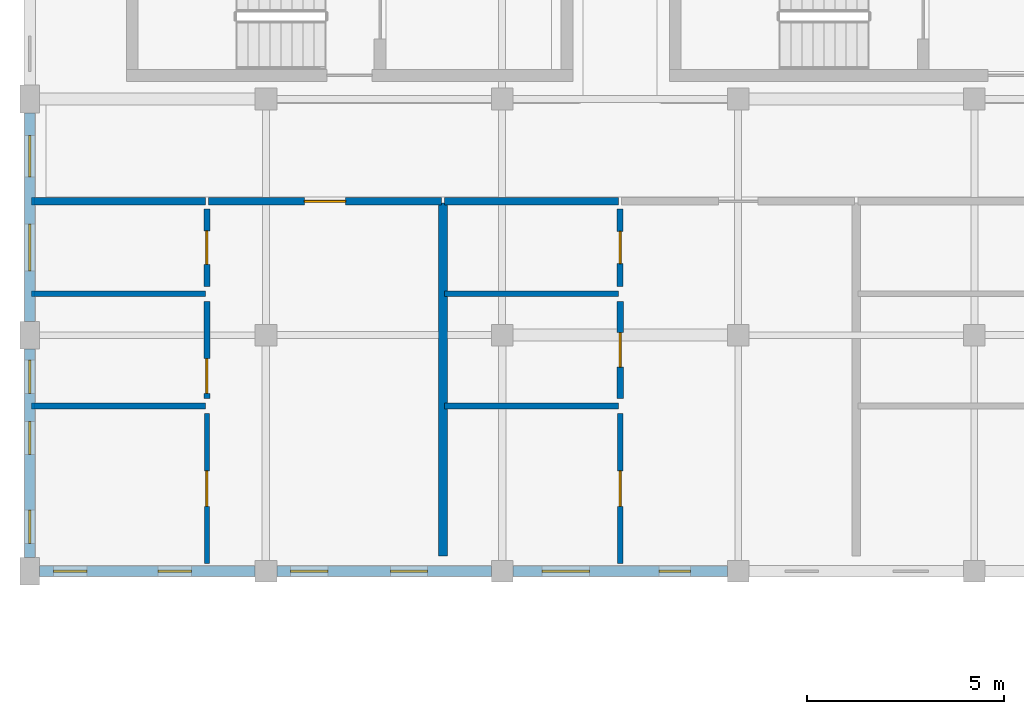
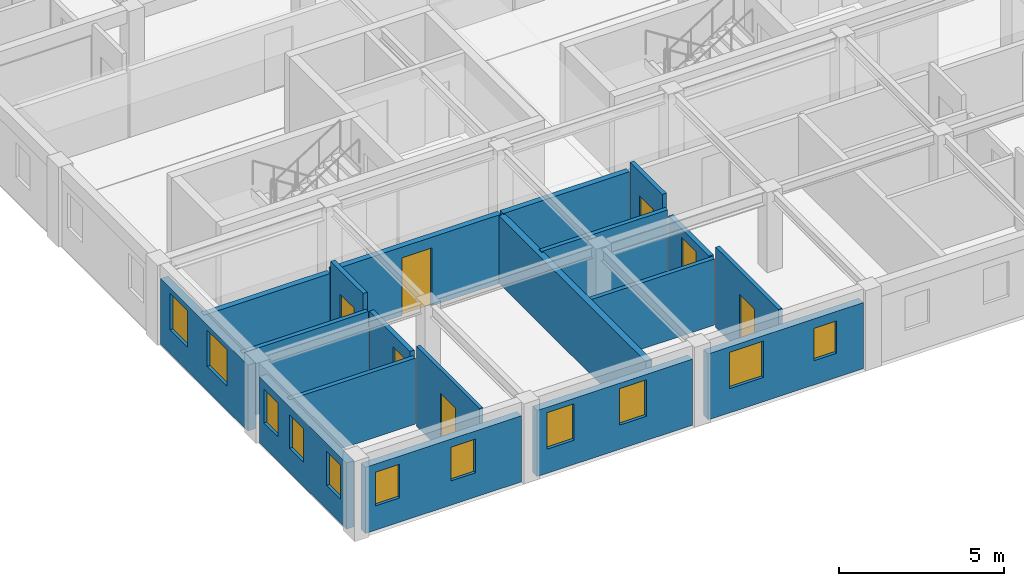
# One storey, part 25 of 58: 19 walls, 11 windows, 7 doors, 18 openings.
"""IFC4 building model written with IfcOpenShell, lengths in metres."""

from ifc_helpers import new_model, si_unit, direction, frame, frame_2d, origin, place, context, subcontext, project, spatial, rectangle, extrude, material, layer, layer_set, type_object, element, fill, save


model = new_model("IFC4")

# Units and contexts
model_context = context("Model", 3, precision=1e-05, world=origin(), true_north=direction((0.0, 1.0)))
body_context = subcontext(model_context, "Body", "Model", "MODEL_VIEW")
ifc_project = project(units=[si_unit("LENGTHUNIT", "METRE"), si_unit("AREAUNIT", "SQUARE_METRE"), si_unit("VOLUMEUNIT", "CUBIC_METRE"), si_unit("PLANEANGLEUNIT", "RADIAN"), si_unit("MASSUNIT", "GRAM", prefix="KILO"), si_unit("POWERUNIT", "WATT"), si_unit("THERMODYNAMICTEMPERATUREUNIT", "KELVIN")], contexts=[model_context])

# Site, building, storey
site_placement = place(None, origin())
site = spatial("IfcSite", under=ifc_project, at=site_placement, CompositionType="ELEMENT")
building_placement = place(site_placement, origin())
building = spatial("IfcBuilding", under=site, at=building_placement, Name="Ruvembo Vaulted Housing Court", CompositionType="ELEMENT")
storey_placement = place(building_placement, frame((0.0, 0.0, 20.5)))
storey = spatial("IfcBuildingStorey", under=building, at=storey_placement, Name="L06", CompositionType="ELEMENT", Elevation=20.5)

# Wall
ifc_material_1 = material(Name="Concrete Blockwork 200", Category="masonry")
ifc_layer_1 = layer(ifc_material_1, 0.199951171875, Name="Concrete Blockwork 200")
ifc_layer_set_1 = layer_set([ifc_layer_1], Name="Concrete Blockwork 200")
wall_type_1 = type_object("IfcWallType", Name="WL-CORR-200", PredefinedType="SOLIDWALL", material=ifc_layer_set_1)
wall_1_placement = place(storey_placement, frame((0.0400390625, 15.39990234375, 0.0), z_axis=(0.0, 0.0, 1.0), x_axis=(1.0, 0.0, 0.0)))
element("IfcWall", 1, at=wall_1_placement, inside=storey, type_object=wall_type_1, Name="L06 Flat A-L06-S1 Corridor Wall WL-INT-L06-01691", PredefinedType="SOLIDWALL", context=body_context, shape_type="SweptSolid", body=[
    extrude(rectangle(XDim=4.419921875, YDim=0.199951171875, at=frame_2d((2.2099609375, 0.0))), origin(), (0.0, 0.0, 1.0), 2.451904296875),
])

# Wall, opening, door
wall_2_placement = place(storey_placement, frame((4.5400390625, 15.39990234375, 0.0), z_axis=(0.0, 0.0, 1.0), x_axis=(1.0, 0.0, 0.0)))
wall_2 = element("IfcWall", 2, at=wall_2_placement, inside=storey, type_object=wall_type_1, Name="L06 Flat A-L06-S1 Entrance WL-INT-L06-01692", PredefinedType="SOLIDWALL", context=body_context, shape_type="SweptSolid", body=[
    extrude(rectangle(XDim=5.919921875, YDim=0.199951171875, at=frame_2d((2.9599609375, 0.0))), origin(), (0.0, 0.0, 1.0), 2.548095703125),
])
opening_1_placement = place(wall_2_placement, frame((2.43505859375, 0.0, 0.0)))
opening_1 = element("IfcOpeningElement", 3, at=opening_1_placement, cuts=wall_2, Name="Opening FD3", PredefinedType="OPENING", context=body_context, shape_type="SweptSolid", body=[
    extrude(rectangle(XDim=1.050048828125, YDim=2.14990234375, at=frame_2d((0.52490234375, 1.074951171875))), frame((0.0, 0.10986328125, 0.0), z_axis=(0.0, -1.0, 0.0), x_axis=(1.0, 0.0, 0.0)), (0.0, 0.0, 1.0), 0.219970703125),
])
ifc_material_2 = material(Name="FSC Hardwood and Engineered Timber", Category="wood")
door_type_1 = type_object("IfcDoorType", Name="DR-FLAT-1050x2150", OperationType="NOTDEFINED", PredefinedType="DOOR", material=ifc_material_2)
door_1_placement = place(opening_1_placement, origin())
door_1 = element("IfcDoor", 4, at=door_1_placement, inside=storey, type_object=door_type_1, Name="L06 Flat A-L06-S1 Entrance Door DR-INT-L06-00959", OperationType="SINGLE_SWING_LEFT", OverallHeight=2.14990234375, OverallWidth=1.050048828125, PredefinedType="DOOR", context=body_context, shape_type="SweptSolid", body=[
    extrude(rectangle(XDim=1.050048828125, YDim=2.14990234375, at=frame_2d((0.52490234375, 1.074951171875))), frame((0.0, 0.02490234375, 0.0), z_axis=(0.0, -1.0, 0.0), x_axis=(1.0, 0.0, 0.0)), (0.0, 0.0, 1.0), 0.050048828125),
])
fill(opening_1, door_1)

# Walls
wall_3_placement = place(storey_placement, frame((10.5400390625, 15.39990234375, 0.0), z_axis=(0.0, 0.0, 1.0), x_axis=(1.0, 0.0, 0.0)))
element("IfcWall", 5, at=wall_3_placement, inside=storey, type_object=wall_type_1, Name="L06 Flat A-L06-S2 Corridor Wall WL-INT-L06-01699", PredefinedType="SOLIDWALL", context=body_context, shape_type="SweptSolid", body=[
    extrude(rectangle(XDim=4.419921875, YDim=0.199951171875, at=frame_2d((2.2099609375, 0.0))), origin(), (0.0, 0.0, 1.0), 2.548095703125),
])
ifc_material_3 = material(Name="Acoustic Masonry Demising 220", Category="masonry")
ifc_layer_2 = layer(ifc_material_3, 0.219970703125, Name="Acoustic Masonry Demising 220")
ifc_layer_set_2 = layer_set([ifc_layer_2], Name="Acoustic Masonry Demising 220")
wall_type_2 = type_object("IfcWallType", Name="WL-DEM-200", PredefinedType="SOLIDWALL", material=ifc_layer_set_2)
wall_4_placement = place(storey_placement, frame((10.5, 6.389892578125, 0.0), z_axis=(0.0, 0.0, 1.0), x_axis=(0.0, 1.0, 0.0)))
element("IfcWall", 6, at=wall_4_placement, inside=storey, type_object=wall_type_2, Name="L06 Demising A-L06-S1 WL-INT-L06-01690", PredefinedType="SOLIDWALL", context=body_context, shape_type="SweptSolid", body=[
    extrude(rectangle(XDim=8.97021484375, YDim=0.219970703125, at=frame_2d((4.485107421875, 0.0))), origin(), (0.0, 0.0, 1.0), 2.508056640625),
])

# Wall, openings, windows
ifc_material_4 = material(Name="Rendered Masonry 270", Category="masonry")
ifc_layer_3 = layer(ifc_material_4, 0.27001953125, Name="Rendered Masonry 270")
ifc_layer_set_3 = layer_set([ifc_layer_3], Name="Rendered Masonry 270")
wall_type_3 = type_object("IfcWallType", Name="WL-EXT-270", PredefinedType="STANDARD", material=ifc_layer_set_3)
wall_5_placement = place(storey_placement, frame((0.25, 6.0, 0.0), z_axis=(0.0, 0.0, 1.0), x_axis=(1.0, 0.0, 0.0)))
wall_5 = element("IfcWall", 7, at=wall_5_placement, inside=storey, type_object=wall_type_3, Name="Block A L06 Exterior Wall STREET #1", PredefinedType="STANDARD", context=body_context, shape_type="SweptSolid", body=[
    extrude(rectangle(XDim=5.47509765625, YDim=0.27001953125, at=frame_2d((2.737548828125, 0.0))), origin(), (0.0, 0.0, 1.0), 2.451904296875),
])
opening_2_placement = place(wall_5_placement, frame((0.35009765625, 0.0, 0.89990234375)))
opening_2 = element("IfcOpeningElement", 8, at=opening_2_placement, cuts=wall_5, Name="Opening W03", PredefinedType="OPENING", context=body_context, shape_type="SweptSolid", body=[
    extrude(rectangle(XDim=0.85009765625, YDim=1.25, at=frame_2d((0.425048828125, 0.625))), frame((0.0, 0.14501953125, 0.0), z_axis=(0.0, -1.0, 0.0), x_axis=(1.0, 0.0, 0.0)), (0.0, 0.0, 1.0), 0.2900390625),
])
opening_3_placement = place(wall_5_placement, frame((3.010009765625, 0.0, 0.89990234375)))
opening_3 = element("IfcOpeningElement", 9, at=opening_3_placement, cuts=wall_5, Name="Opening W03", PredefinedType="OPENING", context=body_context, shape_type="SweptSolid", body=[
    extrude(rectangle(XDim=0.85009765625, YDim=1.25, at=frame_2d((0.425048828125, 0.625))), frame((0.0, 0.14501953125, 0.0), z_axis=(0.0, -1.0, 0.0), x_axis=(1.0, 0.0, 0.0)), (0.0, 0.0, 1.0), 0.2900390625),
])
ifc_material_5 = material(Name="Double Solar-Control Glazing in Aluminium Frame", Category="aluminium")
window_type_1 = type_object("IfcWindowType", Name="WIN-0850x1250", PartitioningType="SINGLE_PANEL", PredefinedType="WINDOW", material=ifc_material_5)
window_1_placement = place(opening_2_placement, origin())
window_1 = element("IfcWindow", 10, at=window_1_placement, inside=storey, type_object=window_type_1, Name="Block A L06 Window #253", OverallHeight=1.25, OverallWidth=0.85009765625, PartitioningType="SINGLE_PANEL", PredefinedType="WINDOW", context=body_context, shape_type="SweptSolid", body=[
    extrude(rectangle(XDim=0.85009765625, YDim=1.25, at=frame_2d((0.425048828125, 0.625))), frame((0.0, 0.030029296875, 0.0), z_axis=(0.0, -1.0, 0.0), x_axis=(1.0, 0.0, 0.0)), (0.0, 0.0, 1.0), 0.06005859375),
])
fill(opening_2, window_1)
window_2_placement = place(opening_3_placement, origin())
window_2 = element("IfcWindow", 11, at=window_2_placement, inside=storey, type_object=window_type_1, Name="Block A L06 Window #254", OverallHeight=1.25, OverallWidth=0.85009765625, PartitioningType="SINGLE_PANEL", PredefinedType="WINDOW", context=body_context, shape_type="SweptSolid", body=[
    extrude(rectangle(XDim=0.85009765625, YDim=1.25, at=frame_2d((0.425048828125, 0.625))), frame((0.0, 0.030029296875, 0.0), z_axis=(0.0, -1.0, 0.0), x_axis=(1.0, 0.0, 0.0)), (0.0, 0.0, 1.0), 0.06005859375),
])
fill(opening_3, window_2)

wall_6_placement = place(storey_placement, frame((6.27490234375, 6.0, 0.0), z_axis=(0.0, 0.0, 1.0), x_axis=(1.0, 0.0, 0.0)))
wall_6 = element("IfcWall", 12, at=wall_6_placement, inside=storey, type_object=wall_type_3, Name="Block A L06 Exterior Wall STREET #2", PredefinedType="STANDARD", context=body_context, shape_type="SweptSolid", body=[
    extrude(rectangle(XDim=5.4501953125, YDim=0.27001953125, at=frame_2d((2.72509765625, 0.0))), origin(), (0.0, 0.0, 1.0), 2.451904296875),
])
opening_4_placement = place(wall_6_placement, frame((0.35009765625, 0.0, 0.89990234375)))
opening_4 = element("IfcOpeningElement", 13, at=opening_4_placement, cuts=wall_6, Name="Opening W07", PredefinedType="OPENING", context=body_context, shape_type="SweptSolid", body=[
    extrude(rectangle(XDim=0.949951171875, YDim=1.35009765625, at=frame_2d((0.47509765625, 0.675048828125))), frame((0.0, 0.14501953125, 0.0), z_axis=(0.0, -1.0, 0.0), x_axis=(1.0, 0.0, 0.0)), (0.0, 0.0, 1.0), 0.2900390625),
])
opening_5_placement = place(wall_6_placement, frame((2.885009765625, 0.0, 0.89990234375)))
opening_5 = element("IfcOpeningElement", 14, at=opening_5_placement, cuts=wall_6, Name="Opening W07", PredefinedType="OPENING", context=body_context, shape_type="SweptSolid", body=[
    extrude(rectangle(XDim=0.949951171875, YDim=1.35009765625, at=frame_2d((0.47509765625, 0.675048828125))), frame((0.0, 0.14501953125, 0.0), z_axis=(0.0, -1.0, 0.0), x_axis=(1.0, 0.0, 0.0)), (0.0, 0.0, 1.0), 0.2900390625),
])
window_type_2 = type_object("IfcWindowType", Name="WIN-0950x1350", PartitioningType="SINGLE_PANEL", PredefinedType="WINDOW", material=ifc_material_5)
window_3_placement = place(opening_4_placement, origin())
window_3 = element("IfcWindow", 15, at=window_3_placement, inside=storey, type_object=window_type_2, Name="Block A L06 Window #255", OverallHeight=1.35009765625, OverallWidth=0.949951171875, PartitioningType="SINGLE_PANEL", PredefinedType="WINDOW", context=body_context, shape_type="SweptSolid", body=[
    extrude(rectangle(XDim=0.949951171875, YDim=1.35009765625, at=frame_2d((0.47509765625, 0.675048828125))), frame((0.0, 0.030029296875, 0.0), z_axis=(0.0, -1.0, 0.0), x_axis=(1.0, 0.0, 0.0)), (0.0, 0.0, 1.0), 0.06005859375),
])
fill(opening_4, window_3)
window_4_placement = place(opening_5_placement, origin())
window_4 = element("IfcWindow", 16, at=window_4_placement, inside=storey, type_object=window_type_2, Name="Block A L06 Window #256", OverallHeight=1.35009765625, OverallWidth=0.949951171875, PartitioningType="SINGLE_PANEL", PredefinedType="WINDOW", context=body_context, shape_type="SweptSolid", body=[
    extrude(rectangle(XDim=0.949951171875, YDim=1.35009765625, at=frame_2d((0.47509765625, 0.675048828125))), frame((0.0, 0.030029296875, 0.0), z_axis=(0.0, -1.0, 0.0), x_axis=(1.0, 0.0, 0.0)), (0.0, 0.0, 1.0), 0.06005859375),
])
fill(opening_5, window_4)

wall_7_placement = place(storey_placement, frame((12.27490234375, 6.0, 0.0), z_axis=(0.0, 0.0, 1.0), x_axis=(1.0, 0.0, 0.0)))
wall_7 = element("IfcWall", 17, at=wall_7_placement, inside=storey, type_object=wall_type_3, Name="Block A L06 Exterior Wall STREET #3", PredefinedType="STANDARD", context=body_context, shape_type="SweptSolid", body=[
    extrude(rectangle(XDim=5.4501953125, YDim=0.27001953125, at=frame_2d((2.72509765625, 0.0))), origin(), (0.0, 0.0, 1.0), 2.451904296875),
])
opening_6_placement = place(wall_7_placement, frame((0.742431640625, 0.0, 0.89990234375)))
opening_6 = element("IfcOpeningElement", 18, at=opening_6_placement, cuts=wall_7, Name="Opening W12", PredefinedType="OPENING", context=body_context, shape_type="SweptSolid", body=[
    extrude(rectangle(XDim=1.199951171875, YDim=1.35009765625, at=frame_2d((0.60009765625, 0.675048828125))), frame((0.0, 0.14501953125, 0.0), z_axis=(0.0, -1.0, 0.0), x_axis=(1.0, 0.0, 0.0)), (0.0, 0.0, 1.0), 0.2900390625),
])
opening_7_placement = place(wall_7_placement, frame((3.70751953125, 0.0, 0.89990234375)))
opening_7 = element("IfcOpeningElement", 19, at=opening_7_placement, cuts=wall_7, Name="Opening W02", PredefinedType="OPENING", context=body_context, shape_type="SweptSolid", body=[
    extrude(rectangle(XDim=0.800048828125, YDim=1.199951171875, at=frame_2d((0.39990234375, 0.60009765625))), frame((0.0, 0.14501953125, 0.0), z_axis=(0.0, -1.0, 0.0), x_axis=(1.0, 0.0, 0.0)), (0.0, 0.0, 1.0), 0.2900390625),
])
window_type_3 = type_object("IfcWindowType", Name="WIN-0800x1200", PartitioningType="SINGLE_PANEL", PredefinedType="WINDOW", material=ifc_material_5)
window_5_placement = place(opening_7_placement, origin())
window_5 = element("IfcWindow", 20, at=window_5_placement, inside=storey, type_object=window_type_3, Name="Block A L06 Window #258", OverallHeight=1.199951171875, OverallWidth=0.800048828125, PartitioningType="SINGLE_PANEL", PredefinedType="WINDOW", context=body_context, shape_type="SweptSolid", body=[
    extrude(rectangle(XDim=0.800048828125, YDim=1.199951171875, at=frame_2d((0.39990234375, 0.60009765625))), frame((0.0, 0.030029296875, 0.0), z_axis=(0.0, -1.0, 0.0), x_axis=(1.0, 0.0, 0.0)), (0.0, 0.0, 1.0), 0.06005859375),
])
fill(opening_7, window_5)
window_type_4 = type_object("IfcWindowType", Name="WIN-1200x1350", PartitioningType="SINGLE_PANEL", PredefinedType="WINDOW", material=ifc_material_5)
window_6_placement = place(opening_6_placement, origin())
window_6 = element("IfcWindow", 21, at=window_6_placement, inside=storey, type_object=window_type_4, Name="Block A L06 Window #257", OverallHeight=1.35009765625, OverallWidth=1.199951171875, PartitioningType="SINGLE_PANEL", PredefinedType="WINDOW", context=body_context, shape_type="SweptSolid", body=[
    extrude(rectangle(XDim=1.199951171875, YDim=1.35009765625, at=frame_2d((0.60009765625, 0.675048828125))), frame((0.0, 0.030029296875, 0.0), z_axis=(0.0, -1.0, 0.0), x_axis=(1.0, 0.0, 0.0)), (0.0, 0.0, 1.0), 0.06005859375),
])
fill(opening_6, window_6)

wall_8_placement = place(storey_placement, frame((0.0, 17.64990234375, 0.0), z_axis=(0.0, 0.0, 1.0), x_axis=(0.0, -1.0, 0.0)))
wall_8 = element("IfcWall", 22, at=wall_8_placement, inside=storey, type_object=wall_type_3, Name="Block A L06 Exterior Wall WEST #4", PredefinedType="STANDARD", context=body_context, shape_type="SweptSolid", body=[
    extrude(rectangle(XDim=5.2998046875, YDim=0.27001953125, at=frame_2d((2.64990234375, 0.0))), origin(), (0.0, 0.0, 1.0), 2.451904296875),
])
opening_8_placement = place(wall_8_placement, frame((0.580078125, 0.0, 0.89990234375)))
opening_8 = element("IfcOpeningElement", 23, at=opening_8_placement, cuts=wall_8, Name="Opening W09", PredefinedType="OPENING", context=body_context, shape_type="SweptSolid", body=[
    extrude(rectangle(XDim=1.050048828125, YDim=1.35009765625, at=frame_2d((0.52490234375, 0.675048828125))), frame((0.0, 0.14501953125, 0.0), z_axis=(0.0, -1.0, 0.0), x_axis=(1.0, 0.0, 0.0)), (0.0, 0.0, 1.0), 0.2900390625),
])
opening_9_placement = place(wall_8_placement, frame((2.824951171875, 0.0, 0.89990234375)))
opening_9 = element("IfcOpeningElement", 24, at=opening_9_placement, cuts=wall_8, Name="Opening W12", PredefinedType="OPENING", context=body_context, shape_type="SweptSolid", body=[
    extrude(rectangle(XDim=1.199951171875, YDim=1.35009765625, at=frame_2d((0.60009765625, 0.675048828125))), frame((0.0, 0.14501953125, 0.0), z_axis=(0.0, -1.0, 0.0), x_axis=(1.0, 0.0, 0.0)), (0.0, 0.0, 1.0), 0.2900390625),
])
window_type_5 = type_object("IfcWindowType", Name="WIN-1050x1350", PartitioningType="SINGLE_PANEL", PredefinedType="WINDOW", material=ifc_material_5)
window_7_placement = place(opening_8_placement, origin())
window_7 = element("IfcWindow", 25, at=window_7_placement, inside=storey, type_object=window_type_5, Name="Block A L06 Window #292", OverallHeight=1.35009765625, OverallWidth=1.050048828125, PartitioningType="SINGLE_PANEL", PredefinedType="WINDOW", context=body_context, shape_type="SweptSolid", body=[
    extrude(rectangle(XDim=1.050048828125, YDim=1.35009765625, at=frame_2d((0.52490234375, 0.675048828125))), frame((0.0, 0.030029296875, 0.0), z_axis=(0.0, -1.0, 0.0), x_axis=(1.0, 0.0, 0.0)), (0.0, 0.0, 1.0), 0.06005859375),
])
fill(opening_8, window_7)
window_8_placement = place(opening_9_placement, origin())
window_8 = element("IfcWindow", 26, at=window_8_placement, inside=storey, type_object=window_type_4, Name="Block A L06 Window #293", OverallHeight=1.35009765625, OverallWidth=1.199951171875, PartitioningType="SINGLE_PANEL", PredefinedType="WINDOW", context=body_context, shape_type="SweptSolid", body=[
    extrude(rectangle(XDim=1.199951171875, YDim=1.35009765625, at=frame_2d((0.60009765625, 0.675048828125))), frame((0.0, 0.030029296875, 0.0), z_axis=(0.0, -1.0, 0.0), x_axis=(1.0, 0.0, 0.0)), (0.0, 0.0, 1.0), 0.06005859375),
])
fill(opening_9, window_8)

wall_9_placement = place(storey_placement, frame((0.0, 11.64990234375, 0.0), z_axis=(0.0, 0.0, 1.0), x_axis=(0.0, -1.0, 0.0)))
wall_9 = element("IfcWall", 27, at=wall_9_placement, inside=storey, type_object=wall_type_3, Name="Block A L06 Exterior Wall WEST #5", PredefinedType="STANDARD", context=body_context, shape_type="SweptSolid", body=[
    extrude(rectangle(XDim=5.2998046875, YDim=0.27001953125, at=frame_2d((2.64990234375, 0.0))), origin(), (0.0, 0.0, 1.0), 2.451904296875),
])
opening_10_placement = place(wall_9_placement, frame((0.280029296875, 0.0, 0.89990234375)))
opening_10 = element("IfcOpeningElement", 28, at=opening_10_placement, cuts=wall_9, Name="Opening W03", PredefinedType="OPENING", context=body_context, shape_type="SweptSolid", body=[
    extrude(rectangle(XDim=0.85009765625, YDim=1.25, at=frame_2d((0.425048828125, 0.625))), frame((0.0, 0.14501953125, 0.0), z_axis=(0.0, -1.0, 0.0), x_axis=(1.0, 0.0, 0.0)), (0.0, 0.0, 1.0), 0.2900390625),
])
opening_11_placement = place(wall_9_placement, frame((1.840087890625, 0.0, 0.89990234375)))
opening_11 = element("IfcOpeningElement", 29, at=opening_11_placement, cuts=wall_9, Name="Opening W03", PredefinedType="OPENING", context=body_context, shape_type="SweptSolid", body=[
    extrude(rectangle(XDim=0.85009765625, YDim=1.25, at=frame_2d((0.425048828125, 0.625))), frame((0.0, 0.14501953125, 0.0), z_axis=(0.0, -1.0, 0.0), x_axis=(1.0, 0.0, 0.0)), (0.0, 0.0, 1.0), 0.2900390625),
])
opening_12_placement = place(wall_9_placement, frame((4.10009765625, 0.0, 0.89990234375)))
opening_12 = element("IfcOpeningElement", 30, at=opening_12_placement, cuts=wall_9, Name="Opening W03", PredefinedType="OPENING", context=body_context, shape_type="SweptSolid", body=[
    extrude(rectangle(XDim=0.85009765625, YDim=1.25, at=frame_2d((0.425048828125, 0.625))), frame((0.0, 0.14501953125, 0.0), z_axis=(0.0, -1.0, 0.0), x_axis=(1.0, 0.0, 0.0)), (0.0, 0.0, 1.0), 0.2900390625),
])
window_9_placement = place(opening_10_placement, origin())
window_9 = element("IfcWindow", 31, at=window_9_placement, inside=storey, type_object=window_type_1, Name="Block A L06 Window #294", OverallHeight=1.25, OverallWidth=0.85009765625, PartitioningType="SINGLE_PANEL", PredefinedType="WINDOW", context=body_context, shape_type="SweptSolid", body=[
    extrude(rectangle(XDim=0.85009765625, YDim=1.25, at=frame_2d((0.425048828125, 0.625))), frame((0.0, 0.030029296875, 0.0), z_axis=(0.0, -1.0, 0.0), x_axis=(1.0, 0.0, 0.0)), (0.0, 0.0, 1.0), 0.06005859375),
])
fill(opening_10, window_9)
window_10_placement = place(opening_11_placement, origin())
window_10 = element("IfcWindow", 32, at=window_10_placement, inside=storey, type_object=window_type_1, Name="Block A L06 Window #295", OverallHeight=1.25, OverallWidth=0.85009765625, PartitioningType="SINGLE_PANEL", PredefinedType="WINDOW", context=body_context, shape_type="SweptSolid", body=[
    extrude(rectangle(XDim=0.85009765625, YDim=1.25, at=frame_2d((0.425048828125, 0.625))), frame((0.0, 0.030029296875, 0.0), z_axis=(0.0, -1.0, 0.0), x_axis=(1.0, 0.0, 0.0)), (0.0, 0.0, 1.0), 0.06005859375),
])
fill(opening_11, window_10)
window_11_placement = place(opening_12_placement, origin())
window_11 = element("IfcWindow", 33, at=window_11_placement, inside=storey, type_object=window_type_1, Name="Block A L06 Window #296", OverallHeight=1.25, OverallWidth=0.85009765625, PartitioningType="SINGLE_PANEL", PredefinedType="WINDOW", context=body_context, shape_type="SweptSolid", body=[
    extrude(rectangle(XDim=0.85009765625, YDim=1.25, at=frame_2d((0.425048828125, 0.625))), frame((0.0, 0.030029296875, 0.0), z_axis=(0.0, -1.0, 0.0), x_axis=(1.0, 0.0, 0.0)), (0.0, 0.0, 1.0), 0.06005859375),
])
fill(opening_12, window_11)

# Wall, opening, door
ifc_material_6 = material(Name="Plasterboard Stud Partition 125", Category="gypsum")
ifc_layer_4 = layer(ifc_material_6, 0.125, Name="Plasterboard Stud Partition 125")
ifc_layer_set_4 = layer_set([ifc_layer_4], Name="Plasterboard Stud Partition 125")
wall_type_4 = type_object("IfcWallType", Name="WL-PART-125", PredefinedType="PARTITIONING", material=ifc_layer_set_4)
wall_10_placement = place(storey_placement, frame((4.5, 6.18994140625, 0.0), z_axis=(0.0, 0.0, 1.0), x_axis=(0.0, 1.0, 0.0)))
wall_10 = element("IfcWall", 34, at=wall_10_placement, inside=storey, type_object=wall_type_4, Name="L06 Flat A-L06-S1 Bedroom 1 WL-INT-L06-01693", PredefinedType="PARTITIONING", context=body_context, shape_type="SweptSolid", body=[
    extrude(rectangle(XDim=3.820068359375, YDim=0.125, at=frame_2d((1.91015625, 0.0))), origin(), (0.0, 0.0, 1.0), 2.969970703125),
])
opening_13_placement = place(wall_10_placement, frame((1.4599609375, 0.0, 0.0)))
opening_13 = element("IfcOpeningElement", 35, at=opening_13_placement, cuts=wall_10, Name="Opening ID1", PredefinedType="OPENING", context=body_context, shape_type="SweptSolid", body=[
    extrude(rectangle(XDim=0.89990234375, YDim=2.10009765625, at=frame_2d((0.449951171875, 1.050048828125))), frame((0.0, 0.072509765625, 0.0), z_axis=(0.0, -1.0, 0.0), x_axis=(1.0, 0.0, 0.0)), (0.0, 0.0, 1.0), 0.14501953125),
])
door_type_2 = type_object("IfcDoorType", Name="DR-ROOM-0900x2100", OperationType="NOTDEFINED", PredefinedType="DOOR", material=ifc_material_2)
door_2_placement = place(opening_13_placement, origin())
door_2 = element("IfcDoor", 36, at=door_2_placement, inside=storey, type_object=door_type_2, Name="L06 Flat A-L06-S1 Bedroom 1 Door DR-INT-L06-00960", OperationType="SINGLE_SWING_RIGHT", OverallHeight=2.10009765625, OverallWidth=0.89990234375, PredefinedType="DOOR", context=body_context, shape_type="SweptSolid", body=[
    extrude(rectangle(XDim=0.89990234375, YDim=2.10009765625, at=frame_2d((0.449951171875, 1.050048828125))), frame((0.0, 0.02490234375, 0.0), z_axis=(0.0, -1.0, 0.0), x_axis=(1.0, 0.0, 0.0)), (0.0, 0.0, 1.0), 0.050048828125),
])
fill(opening_13, door_2)

ifc_material_7 = material(Name="Acoustic Stud Partition 135", Category="gypsum")
ifc_layer_5 = layer(ifc_material_7, 0.135009765625, Name="Acoustic Stud Partition 135")
ifc_layer_set_5 = layer_set([ifc_layer_5], Name="Acoustic Stud Partition 135")
wall_type_5 = type_object("IfcWallType", Name="WL-PART-135", PredefinedType="PARTITIONING", material=ifc_layer_set_5)
wall_11_placement = place(storey_placement, frame((15.0, 6.18994140625, 0.0), z_axis=(0.0, 0.0, 1.0), x_axis=(0.0, 1.0, 0.0)))
wall_11 = element("IfcWall", 37, at=wall_11_placement, inside=storey, type_object=wall_type_5, Name="L06 Flat A-L06-S2 Bedroom 1 WL-INT-L06-01701", PredefinedType="PARTITIONING", context=body_context, shape_type="SweptSolid", body=[
    extrude(rectangle(XDim=3.820068359375, YDim=0.135009765625, at=frame_2d((1.91015625, 0.0))), origin(), (0.0, 0.0, 1.0), 2.969970703125),
])
opening_14_placement = place(wall_11_placement, frame((1.4599609375, 0.0, 0.0)))
opening_14 = element("IfcOpeningElement", 38, at=opening_14_placement, cuts=wall_11, Name="Opening ID1", PredefinedType="OPENING", context=body_context, shape_type="SweptSolid", body=[
    extrude(rectangle(XDim=0.89990234375, YDim=2.10009765625, at=frame_2d((0.449951171875, 1.050048828125))), frame((0.0, 0.077392578125, 0.0), z_axis=(0.0, -1.0, 0.0), x_axis=(1.0, 0.0, 0.0)), (0.0, 0.0, 1.0), 0.155029296875),
])
door_3_placement = place(opening_14_placement, origin())
door_3 = element("IfcDoor", 39, at=door_3_placement, inside=storey, type_object=door_type_2, Name="L06 Flat A-L06-S2 Bedroom 1 Door DR-INT-L06-00964", OperationType="SINGLE_SWING_RIGHT", OverallHeight=2.10009765625, OverallWidth=0.89990234375, PredefinedType="DOOR", context=body_context, shape_type="SweptSolid", body=[
    extrude(rectangle(XDim=0.89990234375, YDim=2.10009765625, at=frame_2d((0.449951171875, 1.050048828125))), frame((0.0, 0.02490234375, 0.0), z_axis=(0.0, -1.0, 0.0), x_axis=(1.0, 0.0, 0.0)), (0.0, 0.0, 1.0), 0.050048828125),
])
fill(opening_14, door_3)

ifc_material_8 = material(Name="Moisture-Resistant Wet Partition 150", Category="gypsum")
ifc_layer_6 = layer(ifc_material_8, 0.14990234375, Name="Moisture-Resistant Wet Partition 150")
ifc_layer_set_6 = layer_set([ifc_layer_6], Name="Moisture-Resistant Wet Partition 150")
wall_type_6 = type_object("IfcWallType", Name="WL-PART-150", PredefinedType="PARTITIONING", material=ifc_layer_set_6)
wall_12_placement = place(storey_placement, frame((4.5, 13.239990234375, 0.0), z_axis=(0.0, 0.0, 1.0), x_axis=(0.0, 1.0, 0.0)))
wall_12 = element("IfcWall", 40, at=wall_12_placement, inside=storey, type_object=wall_type_6, Name="L06 Flat A-L06-S1 Bathroom WL-INT-L06-01695", PredefinedType="PARTITIONING", context=body_context, shape_type="SweptSolid", body=[
    extrude(rectangle(XDim=1.969970703125, YDim=0.14990234375, at=frame_2d((0.98486328125, 0.0))), origin(), (0.0, 0.0, 1.0), 2.969970703125),
])
opening_15_placement = place(wall_12_placement, frame((0.56005859375, 0.0, 0.0)))
opening_15 = element("IfcOpeningElement", 41, at=opening_15_placement, cuts=wall_12, Name="Opening ID2", PredefinedType="OPENING", context=body_context, shape_type="SweptSolid", body=[
    extrude(rectangle(XDim=0.85009765625, YDim=2.10009765625, at=frame_2d((0.425048828125, 1.050048828125))), frame((0.0, 0.0849609375, 0.0), z_axis=(0.0, -1.0, 0.0), x_axis=(1.0, 0.0, 0.0)), (0.0, 0.0, 1.0), 0.169921875),
])
door_type_3 = type_object("IfcDoorType", Name="DR-WET-0850x2100", OperationType="NOTDEFINED", PredefinedType="DOOR", material=ifc_material_2)
door_4_placement = place(opening_15_placement, origin())
door_4 = element("IfcDoor", 42, at=door_4_placement, inside=storey, type_object=door_type_3, Name="L06 Flat A-L06-S1 Bathroom Door DR-INT-L06-00962", OperationType="SINGLE_SWING_RIGHT", OverallHeight=2.10009765625, OverallWidth=0.85009765625, PredefinedType="DOOR", context=body_context, shape_type="SweptSolid", body=[
    extrude(rectangle(XDim=0.85009765625, YDim=2.10009765625, at=frame_2d((0.425048828125, 1.050048828125))), frame((0.0, 0.02490234375, 0.0), z_axis=(0.0, -1.0, 0.0), x_axis=(1.0, 0.0, 0.0)), (0.0, 0.0, 1.0), 0.050048828125),
])
fill(opening_15, door_4)

# Walls
for number, where, z_axis, x_axis, name in (
    (43, (0.0400390625, 10.199951171875, 0.0), (0.0, 0.0, 1.0), (1.0, 0.0, 0.0), "L06 Flat A-L06-S1 Wet Wall 1 WL-INT-L06-01696"),
    (44, (0.0400390625, 13.050048828125, 0.0), (0.0, 0.0, 1.0), (1.0, 0.0, 0.0), "L06 Flat A-L06-S1 Wet Wall 2 WL-INT-L06-01697"),
):
    element("IfcWall", number, at=place(storey_placement, frame(where, z_axis=z_axis, x_axis=x_axis)), inside=storey, type_object=wall_type_6, Name=name, PredefinedType="PARTITIONING", context=body_context, shape_type="SweptSolid", body=[
        extrude(rectangle(XDim=4.419921875, YDim=0.14990234375, at=frame_2d((2.2099609375, 0.0))), origin(), (0.0, 0.0, 1.0), 2.451904296875),
    ])

# Wall, opening, door
wall_13_placement = place(storey_placement, frame((15.0, 13.239990234375, 0.0), z_axis=(0.0, 0.0, 1.0), x_axis=(0.0, 1.0, 0.0)))
wall_13 = element("IfcWall", 45, at=wall_13_placement, inside=storey, type_object=wall_type_6, Name="L06 Flat A-L06-S2 Bathroom WL-INT-L06-01703", PredefinedType="PARTITIONING", context=body_context, shape_type="SweptSolid", body=[
    extrude(rectangle(XDim=1.969970703125, YDim=0.14990234375, at=frame_2d((0.98486328125, 0.0))), origin(), (0.0, 0.0, 1.0), 2.969970703125),
])
opening_16_placement = place(wall_13_placement, frame((0.574951171875, 0.0, 0.0)))
opening_16 = element("IfcOpeningElement", 46, at=opening_16_placement, cuts=wall_13, Name="Opening ID4", PredefinedType="OPENING", context=body_context, shape_type="SweptSolid", body=[
    extrude(rectangle(XDim=0.820068359375, YDim=2.080078125, at=frame_2d((0.41015625, 1.0400390625))), frame((0.0, 0.0849609375, 0.0), z_axis=(0.0, -1.0, 0.0), x_axis=(1.0, 0.0, 0.0)), (0.0, 0.0, 1.0), 0.169921875),
])
door_type_4 = type_object("IfcDoorType", Name="DR-WET-0820x2080", OperationType="NOTDEFINED", PredefinedType="DOOR", material=ifc_material_2)
door_5_placement = place(opening_16_placement, origin())
door_5 = element("IfcDoor", 47, at=door_5_placement, inside=storey, type_object=door_type_4, Name="L06 Flat A-L06-S2 Bathroom Door DR-INT-L06-00966", OperationType="SINGLE_SWING_RIGHT", OverallHeight=2.080078125, OverallWidth=0.820068359375, PredefinedType="DOOR", context=body_context, shape_type="SweptSolid", body=[
    extrude(rectangle(XDim=0.820068359375, YDim=2.080078125, at=frame_2d((0.41015625, 1.0400390625))), frame((0.0, 0.02490234375, 0.0), z_axis=(0.0, -1.0, 0.0), x_axis=(1.0, 0.0, 0.0)), (0.0, 0.0, 1.0), 0.050048828125),
])
fill(opening_16, door_5)

# Walls
wall_14_placement = place(storey_placement, frame((10.5400390625, 10.199951171875, 0.0), z_axis=(0.0, 0.0, 1.0), x_axis=(1.0, 0.0, 0.0)))
element("IfcWall", 48, at=wall_14_placement, inside=storey, type_object=wall_type_6, Name="L06 Flat A-L06-S2 Wet Wall 1 WL-INT-L06-01704", PredefinedType="PARTITIONING", context=body_context, shape_type="SweptSolid", body=[
    extrude(rectangle(XDim=4.419921875, YDim=0.14990234375, at=frame_2d((2.2099609375, 0.0))), origin(), (0.0, 0.0, 1.0), 2.4580078125),
])
wall_15_placement = place(storey_placement, frame((10.5400390625, 13.050048828125, 0.0), z_axis=(0.0, 0.0, 1.0), x_axis=(1.0, 0.0, 0.0)))
element("IfcWall", 49, at=wall_15_placement, inside=storey, type_object=wall_type_6, Name="L06 Flat A-L06-S2 Wet Wall 2 WL-INT-L06-01705", PredefinedType="PARTITIONING", context=body_context, shape_type="SweptSolid", body=[
    extrude(rectangle(XDim=4.419921875, YDim=0.14990234375, at=frame_2d((2.2099609375, 0.0))), origin(), (0.0, 0.0, 1.0), 2.548095703125),
])

# Wall, opening, door
ifc_material_9 = material(Name="Acoustic Service Chase Wall 160", Category="gypsum")
ifc_layer_7 = layer(ifc_material_9, 0.159912109375, Name="Acoustic Service Chase Wall 160")
ifc_layer_set_7 = layer_set([ifc_layer_7], Name="Acoustic Service Chase Wall 160")
wall_type_7 = type_object("IfcWallType", Name="WL-PLUMB-160", PredefinedType="PLUMBINGWALL", material=ifc_layer_set_7)
wall_16_placement = place(storey_placement, frame((4.5, 10.389892578125, 0.0), z_axis=(0.0, 0.0, 1.0), x_axis=(0.0, 1.0, 0.0)))
wall_16 = element("IfcWall", 50, at=wall_16_placement, inside=storey, type_object=wall_type_7, Name="L06 Flat A-L06-S1 Kitchen WL-INT-L06-01694", PredefinedType="PLUMBINGWALL", context=body_context, shape_type="SweptSolid", body=[
    extrude(rectangle(XDim=2.47021484375, YDim=0.159912109375, at=frame_2d((1.235107421875, 0.0))), origin(), (0.0, 0.0, 1.0), 2.548095703125),
])
opening_17_placement = place(wall_16_placement, frame((0.1298828125, 0.0, 0.0)))
opening_17 = element("IfcOpeningElement", 51, at=opening_17_placement, cuts=wall_16, Name="Opening ID3", PredefinedType="OPENING", context=body_context, shape_type="SweptSolid", body=[
    extrude(rectangle(XDim=0.8798828125, YDim=2.10009765625, at=frame_2d((0.43994140625, 1.050048828125))), frame((0.0, 0.08984375, 0.0), z_axis=(0.0, -1.0, 0.0), x_axis=(1.0, 0.0, 0.0)), (0.0, 0.0, 1.0), 0.179931640625),
])
door_type_5 = type_object("IfcDoorType", Name="DR-ROOM-0880x2100", OperationType="NOTDEFINED", PredefinedType="DOOR", material=ifc_material_2)
door_6_placement = place(opening_17_placement, origin())
door_6 = element("IfcDoor", 52, at=door_6_placement, inside=storey, type_object=door_type_5, Name="L06 Flat A-L06-S1 Kitchen Door DR-INT-L06-00961", OperationType="SINGLE_SWING_LEFT", OverallHeight=2.10009765625, OverallWidth=0.8798828125, PredefinedType="DOOR", context=body_context, shape_type="SweptSolid", body=[
    extrude(rectangle(XDim=0.8798828125, YDim=2.10009765625, at=frame_2d((0.43994140625, 1.050048828125))), frame((0.0, 0.02490234375, 0.0), z_axis=(0.0, -1.0, 0.0), x_axis=(1.0, 0.0, 0.0)), (0.0, 0.0, 1.0), 0.050048828125),
])
fill(opening_17, door_6)

wall_17_placement = place(storey_placement, frame((15.0, 10.389892578125, 0.0), z_axis=(0.0, 0.0, 1.0), x_axis=(0.0, 1.0, 0.0)))
wall_17 = element("IfcWall", 53, at=wall_17_placement, inside=storey, type_object=wall_type_7, Name="L06 Flat A-L06-S2 Kitchen WL-INT-L06-01702", PredefinedType="PLUMBINGWALL", context=body_context, shape_type="SweptSolid", body=[
    extrude(rectangle(XDim=2.47021484375, YDim=0.159912109375, at=frame_2d((1.235107421875, 0.0))), origin(), (0.0, 0.0, 1.0), 2.407958984375),
])
opening_18_placement = place(wall_17_placement, frame((0.794921875, 0.0, 0.0)))
opening_18 = element("IfcOpeningElement", 54, at=opening_18_placement, cuts=wall_17, Name="Opening ID3", PredefinedType="OPENING", context=body_context, shape_type="SweptSolid", body=[
    extrude(rectangle(XDim=0.8798828125, YDim=2.10009765625, at=frame_2d((0.43994140625, 1.050048828125))), frame((0.0, 0.08984375, 0.0), z_axis=(0.0, -1.0, 0.0), x_axis=(1.0, 0.0, 0.0)), (0.0, 0.0, 1.0), 0.179931640625),
])
door_7_placement = place(opening_18_placement, origin())
door_7 = element("IfcDoor", 55, at=door_7_placement, inside=storey, type_object=door_type_5, Name="L06 Flat A-L06-S2 Kitchen Door DR-INT-L06-00965", OperationType="SINGLE_SWING_LEFT", OverallHeight=2.10009765625, OverallWidth=0.8798828125, PredefinedType="DOOR", context=body_context, shape_type="SweptSolid", body=[
    extrude(rectangle(XDim=0.8798828125, YDim=2.10009765625, at=frame_2d((0.43994140625, 1.050048828125))), frame((0.0, 0.02490234375, 0.0), z_axis=(0.0, -1.0, 0.0), x_axis=(1.0, 0.0, 0.0)), (0.0, 0.0, 1.0), 0.050048828125),
])
fill(opening_18, door_7)

save(model, "model.ifc")
